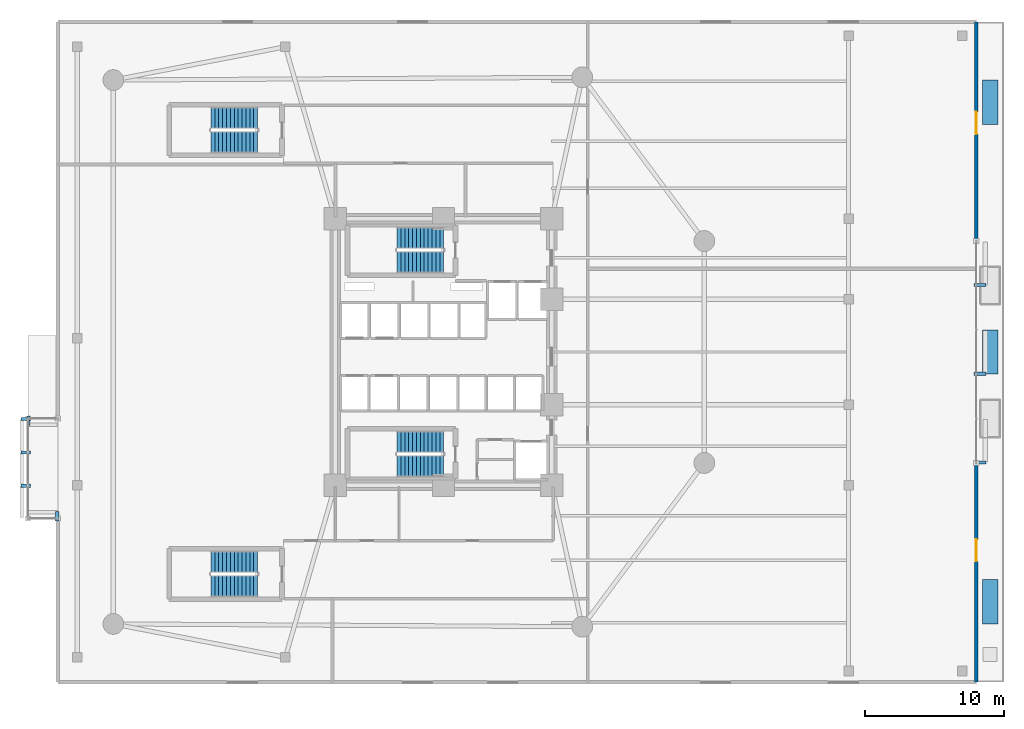
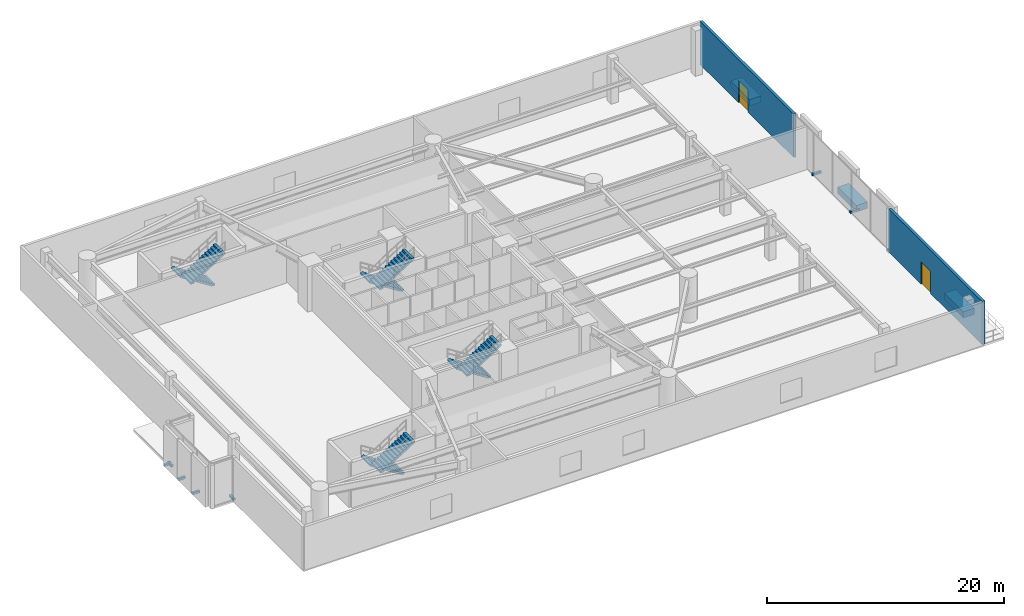
# One storey, part 12 of 15: 11 discrete accessories, 8 stair flights, 2 doors, 2 walls, 2 openings, 4 elements without a shape of their own.
"""IFC4 building model written with IfcOpenShell, lengths in metres."""

from ifc_helpers import new_model, si_unit, direction, frame, frame_2d, origin, origin_2d, place, context, subcontext, project, spatial, polyline, rectangle, outline, extrude, material, layer, layer_set, type_object, element, fill, aggregate, save


model = new_model("IFC4")

# Units and contexts
model_context = context("Model", 3, precision=1e-05, world=origin(), true_north=direction((0.0, 1.0)))
body_context = subcontext(model_context, "Body", "Model", "MODEL_VIEW")
ifc_project = project(units=[si_unit("LENGTHUNIT", "METRE"), si_unit("AREAUNIT", "SQUARE_METRE"), si_unit("VOLUMEUNIT", "CUBIC_METRE"), si_unit("PLANEANGLEUNIT", "RADIAN"), si_unit("MASSUNIT", "GRAM", prefix="KILO")], contexts=[model_context])

# Site, building, storey
site_placement = place(None, origin())
site = spatial("IfcSite", under=ifc_project, at=site_placement, CompositionType="ELEMENT")
building_placement = place(site_placement, origin())
building = spatial("IfcBuilding", under=site, at=building_placement, Name="An Khanh Terracotta Commons", CompositionType="ELEMENT")
storey_placement = place(building_placement, frame((0.0, 0.0, 14.699951171875)))
storey = spatial("IfcBuildingStorey", under=building, at=storey_placement, Name="L04", CompositionType="ELEMENT", Elevation=14.699951171875)

# Wall, opening, door
ifc_material_1 = material(Name="Concrete C40/50", Category="concrete")
ifc_layer = layer(ifc_material_1, 0.260009765625, Name="Concrete C40/50")
ifc_layer_set = layer_set([ifc_layer], Name="Concrete C40/50")
wall_type = type_object("IfcWallType", Name="WALL-POD-260", PredefinedType="SOLIDWALL", material=ifc_layer_set)
wall_1_placement = place(storey_placement, frame((67.800048828125, 16.0, 0.0), z_axis=(0.0, 0.0, 1.0), x_axis=(0.0, -1.0, 0.0)))
wall_1 = element("IfcWall", 1, at=wall_1_placement, inside=storey, type_object=wall_type, Name="L04 East Terrace Wall South", PredefinedType="SOLIDWALL", context=body_context, shape_type="SweptSolid", body=[
    extrude(rectangle(XDim=15.800048828125, YDim=0.260009765625, at=frame_2d((7.89990234375, 0.0))), origin(), (0.0, 0.0, 1.0), 4.449951171875),
])
opening_1_placement = place(wall_1_placement, frame((5.5, 0.0, 0.0)))
opening_1 = element("IfcOpeningElement", 2, at=opening_1_placement, cuts=wall_1, Name="Opening D-TER", PredefinedType="OPENING", context=body_context, shape_type="SweptSolid", body=[
    extrude(rectangle(XDim=1.60009765625, YDim=2.300048828125, at=frame_2d((0.800048828125, 1.14990234375))), frame((0.0, 0.139892578125, 0.0), z_axis=(0.0, -1.0, 0.0), x_axis=(1.0, 0.0, 0.0)), (0.0, 0.0, 1.0), 0.280029296875),
])
ifc_material_2 = material(Name="Thermally Broken Aluminium and Low-E Glass", Category="aluminium")
door_type = type_object("IfcDoorType", Name="DOOR-TERR-1600", OperationType="NOTDEFINED", PredefinedType="DOOR", material=ifc_material_2)
door_1_placement = place(opening_1_placement, origin())
door_1 = element("IfcDoor", 3, at=door_1_placement, inside=storey, type_object=door_type, Name="L04 South Commons Garden Terrace Door", OperationType="DOUBLE_DOOR_SINGLE_SWING", OverallHeight=2.300048828125, OverallWidth=1.60009765625, PredefinedType="DOOR", context=body_context, shape_type="SweptSolid", body=[
    extrude(rectangle(XDim=1.60009765625, YDim=2.300048828125, at=frame_2d((0.800048828125, 1.14990234375))), frame((0.0, 0.02490234375, 0.0), z_axis=(0.0, -1.0, 0.0), x_axis=(1.0, 0.0, 0.0)), (0.0, 0.0, 1.0), 0.050048828125),
])
fill(opening_1, door_1)

wall_2_placement = place(storey_placement, frame((67.800048828125, 47.800048828125, 0.0), z_axis=(0.0, 0.0, 1.0), x_axis=(0.0, -1.0, 0.0)))
wall_2 = element("IfcWall", 4, at=wall_2_placement, inside=storey, type_object=wall_type, Name="L04 East Terrace Wall North", PredefinedType="SOLIDWALL", context=body_context, shape_type="SweptSolid", body=[
    extrude(rectangle(XDim=15.800048828125, YDim=0.260009765625, at=frame_2d((7.89990234375, 0.0))), origin(), (0.0, 0.0, 1.0), 4.449951171875),
])
opening_2_placement = place(wall_2_placement, frame((6.5, 0.0, 0.0)))
opening_2 = element("IfcOpeningElement", 5, at=opening_2_placement, cuts=wall_2, Name="Opening D-TER", PredefinedType="OPENING", context=body_context, shape_type="SweptSolid", body=[
    extrude(rectangle(XDim=1.60009765625, YDim=2.300048828125, at=frame_2d((0.800048828125, 1.14990234375))), frame((0.0, 0.139892578125, 0.0), z_axis=(0.0, -1.0, 0.0), x_axis=(1.0, 0.0, 0.0)), (0.0, 0.0, 1.0), 0.280029296875),
])
door_2_placement = place(opening_2_placement, origin())
door_2 = element("IfcDoor", 6, at=door_2_placement, inside=storey, type_object=door_type, Name="L04 North Commons Garden Terrace Door", OperationType="DOUBLE_DOOR_SINGLE_SWING", OverallHeight=2.300048828125, OverallWidth=1.60009765625, PredefinedType="DOOR", context=body_context, shape_type="SweptSolid", body=[
    extrude(rectangle(XDim=1.60009765625, YDim=2.300048828125, at=frame_2d((0.800048828125, 1.14990234375))), frame((0.0, 0.02490234375, 0.0), z_axis=(0.0, -1.0, 0.0), x_axis=(1.0, 0.0, 0.0)), (0.0, 0.0, 1.0), 0.050048828125),
])
fill(opening_2, door_2)

# Stair, stair flights
ifc_material_3 = material(Name="Precast concrete C40/50", Category="concrete")
stair_type_1 = type_object("IfcStairType", Name="STAIR-CORE-1550", PredefinedType="HALF_TURN_STAIR", material=ifc_material_3)
stair_1_placement = place(storey_placement, origin())
stair_1 = element("IfcStair", 7, at=stair_1_placement, inside=storey, type_object=stair_type_1, Name="L04 Core Smokeproof Exit Stair ST-01", PredefinedType="HALF_TURN_STAIR")
stair_flight_type_1 = type_object("IfcStairFlightType", Name="FLIGHT-CORE-1550", PredefinedType="STRAIGHT", material=ifc_material_3)
stair_flight_1_placement = place(storey_placement, frame((29.409912109375, 32.22509765625, 0.0), z_axis=(0.0, 0.0, 1.0), x_axis=(-1.0, 0.0, 0.0)))
stair_flight_1 = element("IfcStairFlight", 8, at=stair_flight_1_placement, type_object=stair_flight_type_1, Name="ST-01 flight 1", NumberOfRisers=13, NumberOfTreads=12, PredefinedType="STRAIGHT", RiserHeight=0.178846154, TreadLength=0.28, context=body_context, shape_type="SweptSolid", body=[
    extrude(outline(polyline([(0.0, 0.0), (0.0, 0.178955078125), (0.280029296875, 0.178955078125), (0.280029296875, 0.357666015625), (0.56005859375, 0.357666015625), (0.56005859375, 0.53662109375), (0.840087890625, 0.53662109375), (0.840087890625, 0.71533203125), (1.1201171875, 0.71533203125), (1.1201171875, 0.894287109375), (1.39990234375, 0.894287109375), (1.39990234375, 1.072998046875), (1.679931640625, 1.072998046875), (1.679931640625, 1.251953125), (1.9599609375, 1.251953125), (1.9599609375, 1.4306640625), (2.239990234375, 1.4306640625), (2.239990234375, 1.609619140625), (2.52001953125, 1.609619140625), (2.52001953125, 1.78857421875), (2.800048828125, 1.78857421875), (2.800048828125, 1.96728515625), (3.080078125, 1.96728515625), (3.080078125, 2.146240234375), (3.360107421875, 2.146240234375), (3.360107421875, 2.324951171875), (3.360107421875, 1.96826171875), (0.278564453125, 0.0), (0.0, 0.0)])), frame((0.0, 0.77490234375, 0.0), z_axis=(0.0, -1.0, 0.0), x_axis=(1.0, 0.0, 0.0)), (0.0, 0.0, 1.0), 1.550048828125),
])
stair_flight_2_placement = place(storey_placement, frame((26.050048828125, 30.47509765625, 2.324951171875), z_axis=(0.0, 0.0, 1.0), x_axis=(1.0, 0.0, 0.0)))
stair_flight_2 = element("IfcStairFlight", 9, at=stair_flight_2_placement, type_object=stair_flight_type_1, Name="ST-01 flight 2", NumberOfRisers=13, NumberOfTreads=12, PredefinedType="STRAIGHT", RiserHeight=0.178846154, TreadLength=0.28, context=body_context, shape_type="SweptSolid", body=[
    extrude(outline(polyline([(0.0, 0.0), (0.0, 0.178955078125), (0.280029296875, 0.178955078125), (0.280029296875, 0.357666015625), (0.56005859375, 0.357666015625), (0.56005859375, 0.53662109375), (0.840087890625, 0.53662109375), (0.840087890625, 0.71533203125), (1.1201171875, 0.71533203125), (1.1201171875, 0.894287109375), (1.39990234375, 0.894287109375), (1.39990234375, 1.072998046875), (1.679931640625, 1.072998046875), (1.679931640625, 1.251953125), (1.9599609375, 1.251953125), (1.9599609375, 1.4306640625), (2.239990234375, 1.4306640625), (2.239990234375, 1.609619140625), (2.52001953125, 1.609619140625), (2.52001953125, 1.78857421875), (2.800048828125, 1.78857421875), (2.800048828125, 1.96728515625), (3.080078125, 1.96728515625), (3.080078125, 2.146240234375), (3.360107421875, 2.146240234375), (3.360107421875, 2.324951171875), (3.360107421875, 1.96826171875), (0.278564453125, 0.0), (0.0, 0.0)])), frame((0.0, 0.77490234375, 0.0), z_axis=(0.0, -1.0, 0.0), x_axis=(1.0, 0.0, 0.0)), (0.0, 0.0, 1.0), 1.550048828125),
])
aggregate(stair_1, [stair_flight_1, stair_flight_2])

stair_2_placement = place(storey_placement, origin())
stair_2 = element("IfcStair", 10, at=stair_2_placement, inside=storey, type_object=stair_type_1, Name="L04 Core Smokeproof Exit Stair ST-02", PredefinedType="HALF_TURN_STAIR")
stair_flight_3_placement = place(storey_placement, frame((29.409912109375, 17.52490234375, 0.0), z_axis=(0.0, 0.0, 1.0), x_axis=(-1.0, 0.0, 0.0)))
stair_flight_3 = element("IfcStairFlight", 11, at=stair_flight_3_placement, type_object=stair_flight_type_1, Name="ST-02 flight 1", NumberOfRisers=13, NumberOfTreads=12, PredefinedType="STRAIGHT", RiserHeight=0.178846154, TreadLength=0.28, context=body_context, shape_type="SweptSolid", body=[
    extrude(outline(polyline([(0.0, 0.0), (0.0, 0.178955078125), (0.280029296875, 0.178955078125), (0.280029296875, 0.357666015625), (0.56005859375, 0.357666015625), (0.56005859375, 0.53662109375), (0.840087890625, 0.53662109375), (0.840087890625, 0.71533203125), (1.1201171875, 0.71533203125), (1.1201171875, 0.894287109375), (1.39990234375, 0.894287109375), (1.39990234375, 1.072998046875), (1.679931640625, 1.072998046875), (1.679931640625, 1.251953125), (1.9599609375, 1.251953125), (1.9599609375, 1.4306640625), (2.239990234375, 1.4306640625), (2.239990234375, 1.609619140625), (2.52001953125, 1.609619140625), (2.52001953125, 1.78857421875), (2.800048828125, 1.78857421875), (2.800048828125, 1.96728515625), (3.080078125, 1.96728515625), (3.080078125, 2.146240234375), (3.360107421875, 2.146240234375), (3.360107421875, 2.324951171875), (3.360107421875, 1.96826171875), (0.278564453125, 0.0), (0.0, 0.0)])), frame((0.0, 0.77490234375, 0.0), z_axis=(0.0, -1.0, 0.0), x_axis=(1.0, 0.0, 0.0)), (0.0, 0.0, 1.0), 1.550048828125),
])
stair_flight_4_placement = place(storey_placement, frame((26.050048828125, 15.77490234375, 2.324951171875), z_axis=(0.0, 0.0, 1.0), x_axis=(1.0, 0.0, 0.0)))
stair_flight_4 = element("IfcStairFlight", 12, at=stair_flight_4_placement, type_object=stair_flight_type_1, Name="ST-02 flight 2", NumberOfRisers=13, NumberOfTreads=12, PredefinedType="STRAIGHT", RiserHeight=0.178846154, TreadLength=0.28, context=body_context, shape_type="SweptSolid", body=[
    extrude(outline(polyline([(0.0, 0.0), (0.0, 0.178955078125), (0.280029296875, 0.178955078125), (0.280029296875, 0.357666015625), (0.56005859375, 0.357666015625), (0.56005859375, 0.53662109375), (0.840087890625, 0.53662109375), (0.840087890625, 0.71533203125), (1.1201171875, 0.71533203125), (1.1201171875, 0.894287109375), (1.39990234375, 0.894287109375), (1.39990234375, 1.072998046875), (1.679931640625, 1.072998046875), (1.679931640625, 1.251953125), (1.9599609375, 1.251953125), (1.9599609375, 1.4306640625), (2.239990234375, 1.4306640625), (2.239990234375, 1.609619140625), (2.52001953125, 1.609619140625), (2.52001953125, 1.78857421875), (2.800048828125, 1.78857421875), (2.800048828125, 1.96728515625), (3.080078125, 1.96728515625), (3.080078125, 2.146240234375), (3.360107421875, 2.146240234375), (3.360107421875, 2.324951171875), (3.360107421875, 1.96826171875), (0.278564453125, 0.0), (0.0, 0.0)])), frame((0.0, 0.77490234375, 0.0), z_axis=(0.0, -1.0, 0.0), x_axis=(1.0, 0.0, 0.0)), (0.0, 0.0, 1.0), 1.550048828125),
])
aggregate(stair_2, [stair_flight_3, stair_flight_4])

stair_type_2 = type_object("IfcStairType", Name="STAIR-POD-1550", PredefinedType="HALF_TURN_STAIR", material=ifc_material_1)
stair_3_placement = place(storey_placement, origin())
stair_3 = element("IfcStair", 13, at=stair_3_placement, inside=storey, type_object=stair_type_2, Name="L04 Podium Commons Exit Stair ST-P1", PredefinedType="HALF_TURN_STAIR")
stair_flight_type_2 = type_object("IfcStairFlightType", Name="FLIGHT-POD-1550", PredefinedType="STRAIGHT", material=ifc_material_1)
stair_flight_5_placement = place(storey_placement, frame((16.0, 8.875, 0.0), z_axis=(0.0, 0.0, 1.0), x_axis=(-1.0, 0.0, 0.0)))
stair_flight_5 = element("IfcStairFlight", 14, at=stair_flight_5_placement, type_object=stair_flight_type_2, Name="ST-P1 flight 1", NumberOfRisers=13, NumberOfTreads=12, PredefinedType="STRAIGHT", RiserHeight=0.178846154, TreadLength=0.28, context=body_context, shape_type="SweptSolid", body=[
    extrude(outline(polyline([(0.0, 0.0), (0.0, 0.178955078125), (0.280029296875, 0.178955078125), (0.280029296875, 0.357666015625), (0.56005859375, 0.357666015625), (0.56005859375, 0.53662109375), (0.840087890625, 0.53662109375), (0.840087890625, 0.71533203125), (1.1201171875, 0.71533203125), (1.1201171875, 0.894287109375), (1.39990234375, 0.894287109375), (1.39990234375, 1.072998046875), (1.679931640625, 1.072998046875), (1.679931640625, 1.251953125), (1.9599609375, 1.251953125), (1.9599609375, 1.4306640625), (2.239990234375, 1.4306640625), (2.239990234375, 1.609619140625), (2.52001953125, 1.609619140625), (2.52001953125, 1.78857421875), (2.800048828125, 1.78857421875), (2.800048828125, 1.96728515625), (3.080078125, 1.96728515625), (3.080078125, 2.146240234375), (3.360107421875, 2.146240234375), (3.360107421875, 2.324951171875), (3.360107421875, 1.96826171875), (0.278564453125, 0.0), (0.0, 0.0)])), frame((0.0, 0.77490234375, 0.0), z_axis=(0.0, -1.0, 0.0), x_axis=(1.0, 0.0, 0.0)), (0.0, 0.0, 1.0), 1.550048828125),
])
stair_flight_6_placement = place(storey_placement, frame((12.639892578125, 7.125, 2.324951171875), z_axis=(0.0, 0.0, 1.0), x_axis=(1.0, 0.0, 0.0)))
stair_flight_6 = element("IfcStairFlight", 15, at=stair_flight_6_placement, type_object=stair_flight_type_2, Name="ST-P1 flight 2", NumberOfRisers=13, NumberOfTreads=12, PredefinedType="STRAIGHT", RiserHeight=0.178846154, TreadLength=0.28, context=body_context, shape_type="SweptSolid", body=[
    extrude(outline(polyline([(0.0, 0.0), (0.0, 0.178955078125), (0.280029296875, 0.178955078125), (0.280029296875, 0.357666015625), (0.56005859375, 0.357666015625), (0.56005859375, 0.53662109375), (0.840087890625, 0.53662109375), (0.840087890625, 0.71533203125), (1.1201171875, 0.71533203125), (1.1201171875, 0.894287109375), (1.39990234375, 0.894287109375), (1.39990234375, 1.072998046875), (1.679931640625, 1.072998046875), (1.679931640625, 1.251953125), (1.9599609375, 1.251953125), (1.9599609375, 1.4306640625), (2.239990234375, 1.4306640625), (2.239990234375, 1.609619140625), (2.52001953125, 1.609619140625), (2.52001953125, 1.78857421875), (2.800048828125, 1.78857421875), (2.800048828125, 1.96728515625), (3.080078125, 1.96728515625), (3.080078125, 2.146240234375), (3.360107421875, 2.146240234375), (3.360107421875, 2.324951171875), (3.360107421875, 1.96826171875), (0.278564453125, 0.0), (0.0, 0.0)])), frame((0.0, 0.77490234375, 0.0), z_axis=(0.0, -1.0, 0.0), x_axis=(1.0, 0.0, 0.0)), (0.0, 0.0, 1.0), 1.550048828125),
])
aggregate(stair_3, [stair_flight_5, stair_flight_6])

stair_4_placement = place(storey_placement, origin())
stair_4 = element("IfcStair", 16, at=stair_4_placement, inside=storey, type_object=stair_type_2, Name="L04 Podium Commons Exit Stair ST-P2", PredefinedType="HALF_TURN_STAIR")
stair_flight_7_placement = place(storey_placement, frame((16.0, 40.875, 0.0), z_axis=(0.0, 0.0, 1.0), x_axis=(-1.0, 0.0, 0.0)))
stair_flight_7 = element("IfcStairFlight", 17, at=stair_flight_7_placement, type_object=stair_flight_type_2, Name="ST-P2 flight 1", NumberOfRisers=13, NumberOfTreads=12, PredefinedType="STRAIGHT", RiserHeight=0.178846154, TreadLength=0.28, context=body_context, shape_type="SweptSolid", body=[
    extrude(outline(polyline([(0.0, 0.0), (0.0, 0.178955078125), (0.280029296875, 0.178955078125), (0.280029296875, 0.357666015625), (0.56005859375, 0.357666015625), (0.56005859375, 0.53662109375), (0.840087890625, 0.53662109375), (0.840087890625, 0.71533203125), (1.1201171875, 0.71533203125), (1.1201171875, 0.894287109375), (1.39990234375, 0.894287109375), (1.39990234375, 1.072998046875), (1.679931640625, 1.072998046875), (1.679931640625, 1.251953125), (1.9599609375, 1.251953125), (1.9599609375, 1.4306640625), (2.239990234375, 1.4306640625), (2.239990234375, 1.609619140625), (2.52001953125, 1.609619140625), (2.52001953125, 1.78857421875), (2.800048828125, 1.78857421875), (2.800048828125, 1.96728515625), (3.080078125, 1.96728515625), (3.080078125, 2.146240234375), (3.360107421875, 2.146240234375), (3.360107421875, 2.324951171875), (3.360107421875, 1.96826171875), (0.278564453125, 0.0), (0.0, 0.0)])), frame((0.0, 0.77490234375, 0.0), z_axis=(0.0, -1.0, 0.0), x_axis=(1.0, 0.0, 0.0)), (0.0, 0.0, 1.0), 1.550048828125),
])
stair_flight_8_placement = place(storey_placement, frame((12.639892578125, 39.125, 2.324951171875), z_axis=(0.0, 0.0, 1.0), x_axis=(1.0, 0.0, 0.0)))
stair_flight_8 = element("IfcStairFlight", 18, at=stair_flight_8_placement, type_object=stair_flight_type_2, Name="ST-P2 flight 2", NumberOfRisers=13, NumberOfTreads=12, PredefinedType="STRAIGHT", RiserHeight=0.178846154, TreadLength=0.28, context=body_context, shape_type="SweptSolid", body=[
    extrude(outline(polyline([(0.0, 0.0), (0.0, 0.178955078125), (0.280029296875, 0.178955078125), (0.280029296875, 0.357666015625), (0.56005859375, 0.357666015625), (0.56005859375, 0.53662109375), (0.840087890625, 0.53662109375), (0.840087890625, 0.71533203125), (1.1201171875, 0.71533203125), (1.1201171875, 0.894287109375), (1.39990234375, 0.894287109375), (1.39990234375, 1.072998046875), (1.679931640625, 1.072998046875), (1.679931640625, 1.251953125), (1.9599609375, 1.251953125), (1.9599609375, 1.4306640625), (2.239990234375, 1.4306640625), (2.239990234375, 1.609619140625), (2.52001953125, 1.609619140625), (2.52001953125, 1.78857421875), (2.800048828125, 1.78857421875), (2.800048828125, 1.96728515625), (3.080078125, 1.96728515625), (3.080078125, 2.146240234375), (3.360107421875, 2.146240234375), (3.360107421875, 2.324951171875), (3.360107421875, 1.96826171875), (0.278564453125, 0.0), (0.0, 0.0)])), frame((0.0, 0.77490234375, 0.0), z_axis=(0.0, -1.0, 0.0), x_axis=(1.0, 0.0, 0.0)), (0.0, 0.0, 1.0), 1.550048828125),
])
aggregate(stair_4, [stair_flight_7, stair_flight_8])

# Discrete accessories
ifc_material_4 = material(Name="Stainless Steel Grade 316L", Category="steel")
discrete_accessory_type_1 = type_object("IfcDiscreteAccessoryType", Name="Stainless Outrigger Facade Bracket", PredefinedType="BRACKET", material=ifc_material_4)
for number, where, z_axis, x_axis, name in (
    (19, (-0.715087890625, 19.159912109375, 0.06982421875), (0.0, 0.0, 1.0), (0.0, -1.0, 0.0), "L04 Terracotta Screen Outrigger Bracket 1"),
    (20, (-0.715087890625, 16.760009765625, 0.06982421875), (0.0, 0.0, 1.0), (0.0, -1.0, 0.0), "L04 Terracotta Screen Outrigger Bracket 2"),
    (21, (-0.715087890625, 14.360107421875, 0.06982421875), (0.0, 0.0, 1.0), (0.0, -1.0, 0.0), "L04 Terracotta Screen Outrigger Bracket 3"),
    (22, (1.56005859375, 12.1650390625, 0.06982421875), (0.0, 0.0, 1.0), (-1.0, 0.0, 0.0), "L04 Terracotta Screen Outrigger Bracket 1"),
    (23, (-0.510009765625, 19.034912109375, 0.06982421875), (0.0, 0.0, 1.0), (1.0, 0.0, 0.0), "L04 Terracotta Screen Outrigger Bracket 1"),
):
    element("IfcDiscreteAccessory", number, at=place(storey_placement, frame(where, z_axis=z_axis, x_axis=x_axis)), inside=storey, type_object=discrete_accessory_type_1, Name=name, PredefinedType="BRACKET", context=body_context, shape_type="SweptSolid", body=[
        extrude(rectangle(XDim=0.219970703125, YDim=0.669921875, at=origin_2d()), origin(), (0.0, 0.0, 1.0), 0.219970703125),
    ])
for number, where, z_axis, x_axis, name in (
    (24, (68.06494140625, 16.031982421875, 0.06982421875), (0.0, 0.0, 1.0), (0.0, 1.0, 0.0), "L04 Terracotta Screen Outrigger Bracket 1"),
    (25, (68.06494140625, 22.43310546875, 0.06982421875), (0.0, 0.0, 1.0), (0.0, 1.0, 0.0), "L04 Terracotta Screen Outrigger Bracket 3"),
    (26, (68.06494140625, 28.8330078125, 0.06982421875), (0.0, 0.0, 1.0), (0.0, 1.0, 0.0), "L04 Terracotta Screen Outrigger Bracket 5"),
):
    element("IfcDiscreteAccessory", number, at=place(storey_placement, frame(where, z_axis=z_axis, x_axis=x_axis)), inside=storey, type_object=discrete_accessory_type_1, Name=name, PredefinedType="BRACKET", context=body_context, shape_type="SweptSolid", body=[
        extrude(rectangle(XDim=0.219970703125, YDim=0.8701171875, at=origin_2d()), origin(), (0.0, 0.0, 1.0), 0.219970703125),
    ])
ifc_material_5 = material(Name="Planted Garden Soil Substrate in Precast GRC", Category="concrete")
discrete_accessory_type_2 = type_object("IfcDiscreteAccessoryType", Name="Terrace Garden Planter", PredefinedType="USERDEFINED", material=ifc_material_5)
for number, where, z_axis, x_axis, name in (
    (27, (68.800048828125, 6.0, 0.0), (0.0, 0.0, 1.0), (1.0, 0.0, 0.0), "L04 Terrace Garden Planter 1"),
    (28, (68.800048828125, 24.0, 0.0), (0.0, 0.0, 1.0), (1.0, 0.0, 0.0), "L04 Terrace Garden Planter 2"),
    (29, (68.800048828125, 42.0, 0.0), (0.0, 0.0, 1.0), (1.0, 0.0, 0.0), "L04 Terrace Garden Planter 3"),
):
    element("IfcDiscreteAccessory", number, at=place(storey_placement, frame(where, z_axis=z_axis, x_axis=x_axis)), inside=storey, type_object=discrete_accessory_type_2, Name=name, ObjectType="PLANTER", PredefinedType="USERDEFINED", context=body_context, shape_type="SweptSolid", body=[
        extrude(rectangle(XDim=1.10009765625, YDim=3.199951171875, at=origin_2d()), origin(), (0.0, 0.0, 1.0), 0.64990234375),
    ])

save(model, "model.ifc")
